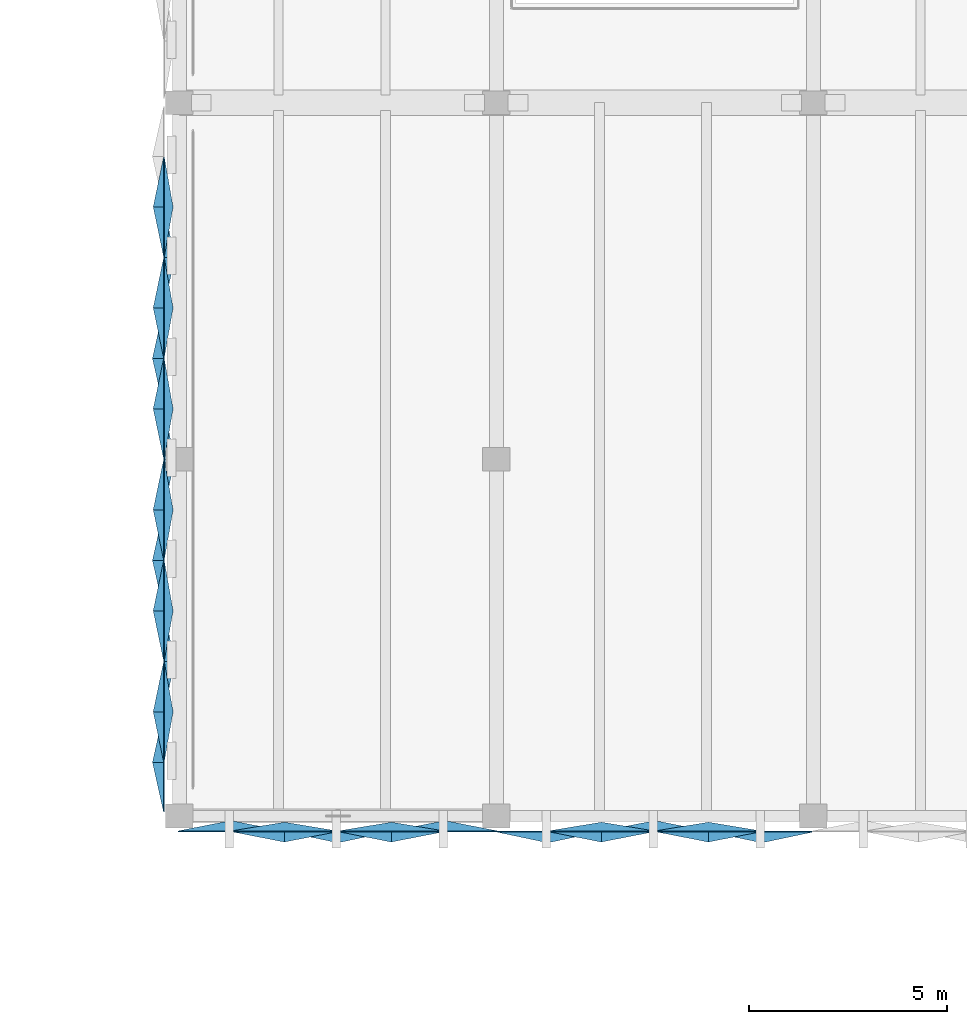
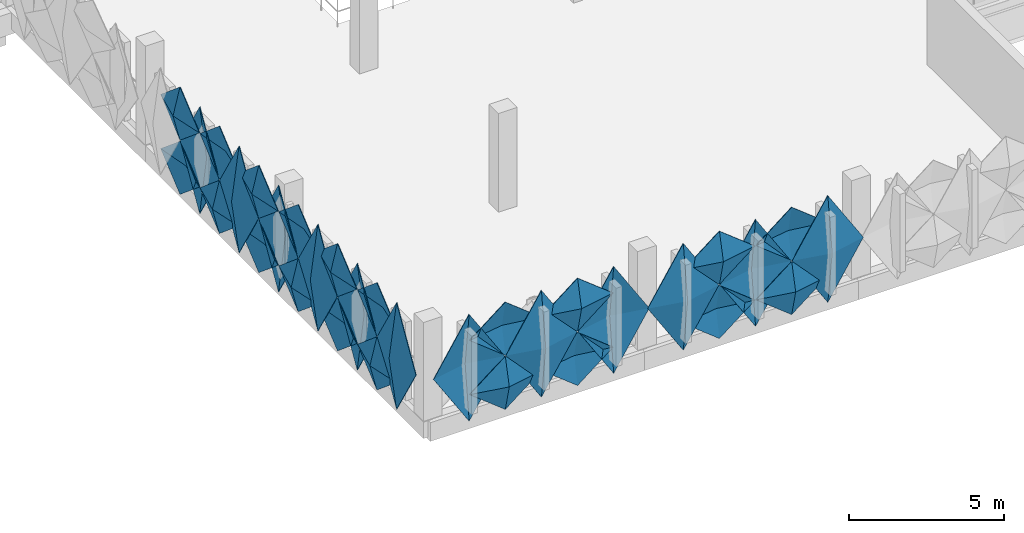
# One storey, part 36 of 52: 32 plates.
"""IFC4 building model written with IfcOpenShell, lengths in metres."""

from ifc_helpers import new_model, si_unit, derived_unit, direction, frame, origin, place, context, subcontext, project, spatial, polygons, material, layer, layer_set, type_object, element, save


model = new_model("IFC4")

# Units and contexts
model_context = context("Model", 3, precision=1e-05, world=origin(), true_north=direction((0.0, 1.0)))
body_context = subcontext(model_context, "Body", "Model", "MODEL_VIEW")
ifc_project = project(units=[si_unit("LENGTHUNIT", "METRE"), si_unit("AREAUNIT", "SQUARE_METRE"), si_unit("VOLUMEUNIT", "CUBIC_METRE"), si_unit("PLANEANGLEUNIT", "RADIAN"), si_unit("MASSUNIT", "GRAM", prefix="KILO"), si_unit("THERMODYNAMICTEMPERATUREUNIT", "KELVIN"), derived_unit("THERMALTRANSMITTANCEUNIT", [(si_unit("POWERUNIT", "WATT"), 1), (si_unit("AREAUNIT", "SQUARE_METRE"), -1), (si_unit("THERMODYNAMICTEMPERATUREUNIT", "KELVIN"), -1)])], contexts=[model_context])

# Site, building, storey
site_placement = place(None, origin())
site = spatial("IfcSite", under=ifc_project, at=site_placement, CompositionType="ELEMENT")
building_placement = place(site_placement, origin())
building = spatial("IfcBuilding", under=site, at=building_placement, Name="Haiyu Intermodal Mobility Hub", CompositionType="ELEMENT")
storey_placement = place(building_placement, frame((0.0, 0.0, 21.199951171875)))
storey = spatial("IfcBuildingStorey", under=building, at=storey_placement, Name="L05", CompositionType="ELEMENT", Elevation=21.199951171875)

# Plates
ifc_material = material(Name="Anodised aluminium 6063-T6", Category="aluminium")
ifc_layer_1 = layer(ifc_material, 0.02001953125)
ifc_layer_set_1 = layer_set([ifc_layer_1], Name="Anodised aluminium 6063-T6")
plate_type_1 = type_object("IfcPlateType", Name="PLT-FC02", PredefinedType="USERDEFINED", material=ifc_layer_set_1)
plate_1_placement = place(storey_placement, origin())
element("IfcPlate", 1, at=plate_1_placement, inside=storey, type_object=plate_type_1, Name="PLT-PYR-0606", ObjectType="FACADE CASSETTE", PredefinedType="USERDEFINED", context=body_context, shape_type="Tessellation", body=[
    polygons([(37.60009765625, 113.0, -0.510009765625), (37.60009765625, 111.74609375, 1.60009765625), (37.60009765625, 113.0, 3.7099609375), (37.60009765625, 114.25390625, 1.60009765625), (37.860107421875, 113.0, 1.60009765625), (37.6220703125, 113.0, -0.510009765625), (37.6220703125, 111.74609375, 1.60009765625), (37.6220703125, 113.0, 3.7099609375), (37.6220703125, 114.25390625, 1.60009765625), (37.882080078125, 113.0, 1.60009765625)], [[[1, 2, 5]], [[2, 3, 5]], [[3, 4, 5]], [[4, 1, 5]], [[7, 6, 10]], [[8, 7, 10]], [[9, 8, 10]], [[6, 9, 10]], [[1, 6, 7, 2]], [[2, 7, 8, 3]], [[3, 8, 9, 4]], [[4, 9, 6, 1]]], closed=True),
])
ifc_layer_2 = layer(ifc_material, 0.01806640625)
ifc_layer_set_2 = layer_set([ifc_layer_2], Name="Anodised aluminium 6063-T6")
plate_type_2 = type_object("IfcPlateType", Name="PLT-FC03", PredefinedType="USERDEFINED", material=ifc_layer_set_2)
plate_2_placement = place(storey_placement, origin())
element("IfcPlate", 2, at=plate_2_placement, inside=storey, type_object=plate_type_2, Name="PLT-PYR-0601", ObjectType="FACADE CASSETTE", PredefinedType="USERDEFINED", context=body_context, shape_type="Tessellation", body=[
    polygons([(37.60009765625, 116.822998046875, -0.52001953125), (37.60009765625, 115.569091796875, 0.530029296875), (37.60009765625, 116.822998046875, 1.580078125), (37.60009765625, 118.076904296875, 0.530029296875), (37.340087890625, 116.822998046875, 0.530029296875), (37.6220703125, 116.822998046875, -0.52001953125), (37.6220703125, 115.569091796875, 0.530029296875), (37.6220703125, 116.822998046875, 1.580078125), (37.6220703125, 118.076904296875, 0.530029296875), (37.362060546875, 116.822998046875, 0.530029296875)], [[[1, 2, 5]], [[2, 3, 5]], [[3, 4, 5]], [[4, 1, 5]], [[7, 6, 10]], [[8, 7, 10]], [[9, 8, 10]], [[6, 9, 10]], [[1, 6, 7, 2]], [[2, 7, 8, 3]], [[3, 8, 9, 4]], [[4, 9, 6, 1]]], closed=True),
])
plate_3_placement = place(storey_placement, origin())
element("IfcPlate", 3, at=plate_3_placement, inside=storey, type_object=plate_type_2, Name="PLT-PYR-0607", ObjectType="FACADE CASSETTE", PredefinedType="USERDEFINED", context=body_context, shape_type="Tessellation", body=[
    polygons([(37.60009765625, 111.72607421875, -0.52001953125), (37.60009765625, 110.470947265625, 0.530029296875), (37.60009765625, 111.72607421875, 1.580078125), (37.60009765625, 112.97998046875, 0.530029296875), (37.340087890625, 111.72607421875, 0.530029296875), (37.6220703125, 111.72607421875, -0.52001953125), (37.6220703125, 110.470947265625, 0.530029296875), (37.6220703125, 111.72607421875, 1.580078125), (37.6220703125, 112.97998046875, 0.530029296875), (37.362060546875, 111.72607421875, 0.530029296875)], [[[1, 2, 5]], [[2, 3, 5]], [[3, 4, 5]], [[4, 1, 5]], [[7, 6, 10]], [[8, 7, 10]], [[9, 8, 10]], [[6, 9, 10]], [[1, 6, 7, 2]], [[2, 7, 8, 3]], [[3, 8, 9, 4]], [[4, 9, 6, 1]]], closed=True),
])
plate_4_placement = place(storey_placement, origin())
element("IfcPlate", 4, at=plate_4_placement, inside=storey, type_object=plate_type_2, Name="PLT-PYR-0609", ObjectType="FACADE CASSETTE", PredefinedType="USERDEFINED", context=body_context, shape_type="Tessellation", body=[
    polygons([(37.60009765625, 110.450927734375, -0.510009765625), (37.60009765625, 109.197021484375, 1.60009765625), (37.60009765625, 110.450927734375, 3.7099609375), (37.60009765625, 111.7060546875, 1.60009765625), (37.320068359375, 110.450927734375, 1.60009765625), (37.6220703125, 110.450927734375, -0.510009765625), (37.6220703125, 109.197021484375, 1.60009765625), (37.6220703125, 110.450927734375, 3.7099609375), (37.6220703125, 111.7060546875, 1.60009765625), (37.342041015625, 110.450927734375, 1.60009765625)], [[[1, 2, 5]], [[2, 3, 5]], [[3, 4, 5]], [[4, 1, 5]], [[7, 6, 10]], [[8, 7, 10]], [[9, 8, 10]], [[6, 9, 10]], [[1, 6, 7, 2]], [[2, 7, 8, 3]], [[3, 8, 9, 4]], [[4, 9, 6, 1]]], closed=True),
])
plate_5_placement = place(storey_placement, origin())
element("IfcPlate", 5, at=plate_5_placement, inside=storey, type_object=plate_type_2, Name="PLT-PYR-0613", ObjectType="FACADE CASSETTE", PredefinedType="USERDEFINED", context=body_context, shape_type="Tessellation", body=[
    polygons([(37.60009765625, 106.62890625, -0.52001953125), (37.60009765625, 105.3740234375, 0.530029296875), (37.60009765625, 106.62890625, 1.580078125), (37.60009765625, 107.883056640625, 0.530029296875), (37.340087890625, 106.62890625, 0.530029296875), (37.6220703125, 106.62890625, -0.52001953125), (37.6220703125, 105.3740234375, 0.530029296875), (37.6220703125, 106.62890625, 1.580078125), (37.6220703125, 107.883056640625, 0.530029296875), (37.362060546875, 106.62890625, 0.530029296875)], [[[1, 2, 5]], [[2, 3, 5]], [[3, 4, 5]], [[4, 1, 5]], [[7, 6, 10]], [[8, 7, 10]], [[9, 8, 10]], [[6, 9, 10]], [[1, 6, 7, 2]], [[2, 7, 8, 3]], [[3, 8, 9, 4]], [[4, 9, 6, 1]]], closed=True),
])
plate_6_placement = place(storey_placement, origin())
element("IfcPlate", 6, at=plate_6_placement, inside=storey, type_object=plate_type_2, Name="PLT-PYR-2557", ObjectType="FACADE CASSETTE", PredefinedType="USERDEFINED", context=body_context, shape_type="Tessellation", body=[
    polygons([(40.64990234375, 103.60009765625, -0.52001953125), (41.97998046875, 103.60009765625, 0.530029296875), (40.64990234375, 103.60009765625, 1.580078125), (39.320068359375, 103.60009765625, 0.530029296875), (40.64990234375, 103.340087890625, 0.530029296875), (40.64990234375, 103.6220703125, -0.52001953125), (41.97998046875, 103.6220703125, 0.530029296875), (40.64990234375, 103.6220703125, 1.580078125), (39.320068359375, 103.6220703125, 0.530029296875), (40.64990234375, 103.362060546875, 0.530029296875)], [[[1, 2, 5]], [[2, 3, 5]], [[3, 4, 5]], [[4, 1, 5]], [[7, 6, 10]], [[8, 7, 10]], [[9, 8, 10]], [[6, 9, 10]], [[1, 6, 7, 2]], [[2, 7, 8, 3]], [[3, 8, 9, 4]], [[4, 9, 6, 1]]], closed=True),
])
plate_7_placement = place(storey_placement, origin())
element("IfcPlate", 7, at=plate_7_placement, inside=storey, type_object=plate_type_2, Name="PLT-PYR-2563", ObjectType="FACADE CASSETTE", PredefinedType="USERDEFINED", context=body_context, shape_type="Tessellation", body=[
    polygons([(47.300048828125, 103.60009765625, -0.510009765625), (48.6298828125, 103.60009765625, 1.60009765625), (47.300048828125, 103.60009765625, 3.7099609375), (45.969970703125, 103.60009765625, 1.60009765625), (47.300048828125, 103.320068359375, 1.60009765625), (47.300048828125, 103.6220703125, -0.510009765625), (48.6298828125, 103.6220703125, 1.60009765625), (47.300048828125, 103.6220703125, 3.7099609375), (45.969970703125, 103.6220703125, 1.60009765625), (47.300048828125, 103.342041015625, 1.60009765625)], [[[1, 2, 5]], [[2, 3, 5]], [[3, 4, 5]], [[4, 1, 5]], [[7, 6, 10]], [[8, 7, 10]], [[9, 8, 10]], [[6, 9, 10]], [[1, 6, 7, 2]], [[2, 7, 8, 3]], [[3, 8, 9, 4]], [[4, 9, 6, 1]]], closed=True),
])
plate_8_placement = place(storey_placement, origin())
element("IfcPlate", 8, at=plate_8_placement, inside=storey, type_object=plate_type_2, Name="PLT-PYR-2567", ObjectType="FACADE CASSETTE", PredefinedType="USERDEFINED", context=body_context, shape_type="Tessellation", body=[
    polygons([(51.35009765625, 103.60009765625, -0.52001953125), (52.679931640625, 103.60009765625, 0.530029296875), (51.35009765625, 103.60009765625, 1.580078125), (50.02001953125, 103.60009765625, 0.530029296875), (51.35009765625, 103.340087890625, 0.530029296875), (51.35009765625, 103.6220703125, -0.52001953125), (52.679931640625, 103.6220703125, 0.530029296875), (51.35009765625, 103.6220703125, 1.580078125), (50.02001953125, 103.6220703125, 0.530029296875), (51.35009765625, 103.362060546875, 0.530029296875)], [[[1, 2, 5]], [[2, 3, 5]], [[3, 4, 5]], [[4, 1, 5]], [[7, 6, 10]], [[8, 7, 10]], [[9, 8, 10]], [[6, 9, 10]], [[1, 6, 7, 2]], [[2, 7, 8, 3]], [[3, 8, 9, 4]], [[4, 9, 6, 1]]], closed=True),
])
ifc_layer_3 = layer(ifc_material, 0.02001953125)
ifc_layer_set_3 = layer_set([ifc_layer_3], Name="Anodised aluminium 6063-T6")
plate_type_3 = type_object("IfcPlateType", Name="PLT-FC04", PredefinedType="USERDEFINED", material=ifc_layer_set_3)
plate_9_placement = place(storey_placement, origin())
element("IfcPlate", 9, at=plate_9_placement, inside=storey, type_object=plate_type_3, Name="PLT-PYR-0598", ObjectType="FACADE CASSETTE", PredefinedType="USERDEFINED", context=body_context, shape_type="Tessellation", body=[
    polygons([(37.60009765625, 119.37109375, -0.52001953125), (37.60009765625, 118.116943359375, 0.530029296875), (37.60009765625, 119.37109375, 1.580078125), (37.60009765625, 120.6259765625, 0.530029296875), (37.820068359375, 119.37109375, 0.530029296875), (37.6220703125, 119.37109375, -0.52001953125), (37.6220703125, 118.116943359375, 0.530029296875), (37.6220703125, 119.37109375, 1.580078125), (37.6220703125, 120.6259765625, 0.530029296875), (37.842041015625, 119.37109375, 0.530029296875)], [[[1, 2, 5]], [[2, 3, 5]], [[3, 4, 5]], [[4, 1, 5]], [[7, 6, 10]], [[8, 7, 10]], [[9, 8, 10]], [[6, 9, 10]], [[1, 6, 7, 2]], [[2, 7, 8, 3]], [[3, 8, 9, 4]], [[4, 9, 6, 1]]], closed=True),
])
plate_10_placement = place(storey_placement, origin())
element("IfcPlate", 10, at=plate_10_placement, inside=storey, type_object=plate_type_3, Name="PLT-PYR-0604", ObjectType="FACADE CASSETTE", PredefinedType="USERDEFINED", context=body_context, shape_type="Tessellation", body=[
    polygons([(37.60009765625, 114.27392578125, -0.52001953125), (37.60009765625, 113.02001953125, 0.530029296875), (37.60009765625, 114.27392578125, 1.580078125), (37.60009765625, 115.529052734375, 0.530029296875), (37.820068359375, 114.27392578125, 0.530029296875), (37.6220703125, 114.27392578125, -0.52001953125), (37.6220703125, 113.02001953125, 0.530029296875), (37.6220703125, 114.27392578125, 1.580078125), (37.6220703125, 115.529052734375, 0.530029296875), (37.842041015625, 114.27392578125, 0.530029296875)], [[[1, 2, 5]], [[2, 3, 5]], [[3, 4, 5]], [[4, 1, 5]], [[7, 6, 10]], [[8, 7, 10]], [[9, 8, 10]], [[6, 9, 10]], [[1, 6, 7, 2]], [[2, 7, 8, 3]], [[3, 8, 9, 4]], [[4, 9, 6, 1]]], closed=True),
])
plate_11_placement = place(storey_placement, origin())
element("IfcPlate", 11, at=plate_11_placement, inside=storey, type_object=plate_type_3, Name="PLT-PYR-0610", ObjectType="FACADE CASSETTE", PredefinedType="USERDEFINED", context=body_context, shape_type="Tessellation", body=[
    polygons([(37.60009765625, 109.177001953125, -0.52001953125), (37.60009765625, 107.923095703125, 0.530029296875), (37.60009765625, 109.177001953125, 1.580078125), (37.60009765625, 110.430908203125, 0.530029296875), (37.820068359375, 109.177001953125, 0.530029296875), (37.6220703125, 109.177001953125, -0.52001953125), (37.6220703125, 107.923095703125, 0.530029296875), (37.6220703125, 109.177001953125, 1.580078125), (37.6220703125, 110.430908203125, 0.530029296875), (37.842041015625, 109.177001953125, 0.530029296875)], [[[1, 2, 5]], [[2, 3, 5]], [[3, 4, 5]], [[4, 1, 5]], [[7, 6, 10]], [[8, 7, 10]], [[9, 8, 10]], [[6, 9, 10]], [[1, 6, 7, 2]], [[2, 7, 8, 3]], [[3, 8, 9, 4]], [[4, 9, 6, 1]]], closed=True),
])
plate_12_placement = place(storey_placement, origin())
element("IfcPlate", 12, at=plate_12_placement, inside=storey, type_object=plate_type_3, Name="PLT-PYR-2556", ObjectType="FACADE CASSETTE", PredefinedType="USERDEFINED", context=body_context, shape_type="Tessellation", body=[
    polygons([(39.300048828125, 103.60009765625, -0.510009765625), (40.6298828125, 103.60009765625, 1.60009765625), (39.300048828125, 103.60009765625, 3.7099609375), (37.969970703125, 103.60009765625, 1.60009765625), (39.300048828125, 103.860107421875, 1.60009765625), (39.300048828125, 103.6220703125, -0.510009765625), (40.6298828125, 103.6220703125, 1.60009765625), (39.300048828125, 103.6220703125, 3.7099609375), (37.969970703125, 103.6220703125, 1.60009765625), (39.300048828125, 103.882080078125, 1.60009765625)], [[[1, 2, 5]], [[2, 3, 5]], [[3, 4, 5]], [[4, 1, 5]], [[7, 6, 10]], [[8, 7, 10]], [[9, 8, 10]], [[6, 9, 10]], [[1, 6, 7, 2]], [[2, 7, 8, 3]], [[3, 8, 9, 4]], [[4, 9, 6, 1]]], closed=True),
])
plate_13_placement = place(storey_placement, origin())
element("IfcPlate", 13, at=plate_13_placement, inside=storey, type_object=plate_type_3, Name="PLT-PYR-2560", ObjectType="FACADE CASSETTE", PredefinedType="USERDEFINED", context=body_context, shape_type="Tessellation", body=[
    polygons([(43.35009765625, 103.60009765625, -0.52001953125), (44.679931640625, 103.60009765625, 0.530029296875), (43.35009765625, 103.60009765625, 1.580078125), (42.02001953125, 103.60009765625, 0.530029296875), (43.35009765625, 103.820068359375, 0.530029296875), (43.35009765625, 103.6220703125, -0.52001953125), (44.679931640625, 103.6220703125, 0.530029296875), (43.35009765625, 103.6220703125, 1.580078125), (42.02001953125, 103.6220703125, 0.530029296875), (43.35009765625, 103.842041015625, 0.530029296875)], [[[1, 2, 5]], [[2, 3, 5]], [[3, 4, 5]], [[4, 1, 5]], [[7, 6, 10]], [[8, 7, 10]], [[9, 8, 10]], [[6, 9, 10]], [[1, 6, 7, 2]], [[2, 7, 8, 3]], [[3, 8, 9, 4]], [[4, 9, 6, 1]]], closed=True),
])
plate_14_placement = place(storey_placement, origin())
element("IfcPlate", 14, at=plate_14_placement, inside=storey, type_object=plate_type_3, Name="PLT-PYR-2564", ObjectType="FACADE CASSETTE", PredefinedType="USERDEFINED", context=body_context, shape_type="Tessellation", body=[
    polygons([(48.64990234375, 103.60009765625, -0.52001953125), (49.97998046875, 103.60009765625, 0.530029296875), (48.64990234375, 103.60009765625, 1.580078125), (47.320068359375, 103.60009765625, 0.530029296875), (48.64990234375, 103.820068359375, 0.530029296875), (48.64990234375, 103.6220703125, -0.52001953125), (49.97998046875, 103.6220703125, 0.530029296875), (48.64990234375, 103.6220703125, 1.580078125), (47.320068359375, 103.6220703125, 0.530029296875), (48.64990234375, 103.842041015625, 0.530029296875)], [[[1, 2, 5]], [[2, 3, 5]], [[3, 4, 5]], [[4, 1, 5]], [[7, 6, 10]], [[8, 7, 10]], [[9, 8, 10]], [[6, 9, 10]], [[1, 6, 7, 2]], [[2, 7, 8, 3]], [[3, 8, 9, 4]], [[4, 9, 6, 1]]], closed=True),
])
ifc_layer_4 = layer(ifc_material, 0.01806640625)
ifc_layer_set_4 = layer_set([ifc_layer_4], Name="Anodised aluminium 6063-T6")
plate_type_4 = type_object("IfcPlateType", Name="PLT-FC05", PredefinedType="USERDEFINED", material=ifc_layer_set_4)
plate_15_placement = place(storey_placement, origin())
element("IfcPlate", 15, at=plate_15_placement, inside=storey, type_object=plate_type_4, Name="PLT-PYR-0599", ObjectType="FACADE CASSETTE", PredefinedType="USERDEFINED", context=body_context, shape_type="Tessellation", body=[
    polygons([(37.60009765625, 119.37109375, 1.6201171875), (37.60009765625, 118.116943359375, 2.670166015625), (37.60009765625, 119.37109375, 3.719970703125), (37.60009765625, 120.6259765625, 2.670166015625), (37.340087890625, 119.37109375, 2.670166015625), (37.6220703125, 119.37109375, 1.6201171875), (37.6220703125, 118.116943359375, 2.670166015625), (37.6220703125, 119.37109375, 3.719970703125), (37.6220703125, 120.6259765625, 2.670166015625), (37.362060546875, 119.37109375, 2.670166015625)], [[[1, 2, 5]], [[2, 3, 5]], [[3, 4, 5]], [[4, 1, 5]], [[7, 6, 10]], [[8, 7, 10]], [[9, 8, 10]], [[6, 9, 10]], [[1, 6, 7, 2]], [[2, 7, 8, 3]], [[3, 8, 9, 4]], [[4, 9, 6, 1]]], closed=True),
])
plate_16_placement = place(storey_placement, origin())
element("IfcPlate", 16, at=plate_16_placement, inside=storey, type_object=plate_type_4, Name="PLT-PYR-0605", ObjectType="FACADE CASSETTE", PredefinedType="USERDEFINED", context=body_context, shape_type="Tessellation", body=[
    polygons([(37.60009765625, 114.27392578125, 1.6201171875), (37.60009765625, 113.02001953125, 2.670166015625), (37.60009765625, 114.27392578125, 3.719970703125), (37.60009765625, 115.529052734375, 2.670166015625), (37.340087890625, 114.27392578125, 2.670166015625), (37.6220703125, 114.27392578125, 1.6201171875), (37.6220703125, 113.02001953125, 2.670166015625), (37.6220703125, 114.27392578125, 3.719970703125), (37.6220703125, 115.529052734375, 2.670166015625), (37.362060546875, 114.27392578125, 2.670166015625)], [[[1, 2, 5]], [[2, 3, 5]], [[3, 4, 5]], [[4, 1, 5]], [[7, 6, 10]], [[8, 7, 10]], [[9, 8, 10]], [[6, 9, 10]], [[1, 6, 7, 2]], [[2, 7, 8, 3]], [[3, 8, 9, 4]], [[4, 9, 6, 1]]], closed=True),
])
plate_17_placement = place(storey_placement, origin())
element("IfcPlate", 17, at=plate_17_placement, inside=storey, type_object=plate_type_4, Name="PLT-PYR-0611", ObjectType="FACADE CASSETTE", PredefinedType="USERDEFINED", context=body_context, shape_type="Tessellation", body=[
    polygons([(37.60009765625, 109.177001953125, 1.6201171875), (37.60009765625, 107.923095703125, 2.670166015625), (37.60009765625, 109.177001953125, 3.719970703125), (37.60009765625, 110.430908203125, 2.670166015625), (37.340087890625, 109.177001953125, 2.670166015625), (37.6220703125, 109.177001953125, 1.6201171875), (37.6220703125, 107.923095703125, 2.670166015625), (37.6220703125, 109.177001953125, 3.719970703125), (37.6220703125, 110.430908203125, 2.670166015625), (37.362060546875, 109.177001953125, 2.670166015625)], [[[1, 2, 5]], [[2, 3, 5]], [[3, 4, 5]], [[4, 1, 5]], [[7, 6, 10]], [[8, 7, 10]], [[9, 8, 10]], [[6, 9, 10]], [[1, 6, 7, 2]], [[2, 7, 8, 3]], [[3, 8, 9, 4]], [[4, 9, 6, 1]]], closed=True),
])
plate_18_placement = place(storey_placement, origin())
element("IfcPlate", 18, at=plate_18_placement, inside=storey, type_object=plate_type_4, Name="PLT-PYR-2559", ObjectType="FACADE CASSETTE", PredefinedType="USERDEFINED", context=body_context, shape_type="Tessellation", body=[
    polygons([(42.0, 103.60009765625, -0.510009765625), (43.330078125, 103.60009765625, 1.60009765625), (42.0, 103.60009765625, 3.7099609375), (40.669921875, 103.60009765625, 1.60009765625), (42.0, 103.320068359375, 1.60009765625), (42.0, 103.6220703125, -0.510009765625), (43.330078125, 103.6220703125, 1.60009765625), (42.0, 103.6220703125, 3.7099609375), (40.669921875, 103.6220703125, 1.60009765625), (42.0, 103.342041015625, 1.60009765625)], [[[1, 2, 5]], [[2, 3, 5]], [[3, 4, 5]], [[4, 1, 5]], [[7, 6, 10]], [[8, 7, 10]], [[9, 8, 10]], [[6, 9, 10]], [[1, 6, 7, 2]], [[2, 7, 8, 3]], [[3, 8, 9, 4]], [[4, 9, 6, 1]]], closed=True),
])
plate_19_placement = place(storey_placement, origin())
element("IfcPlate", 19, at=plate_19_placement, inside=storey, type_object=plate_type_4, Name="PLT-PYR-2561", ObjectType="FACADE CASSETTE", PredefinedType="USERDEFINED", context=body_context, shape_type="Tessellation", body=[
    polygons([(43.35009765625, 103.60009765625, 1.6201171875), (44.679931640625, 103.60009765625, 2.670166015625), (43.35009765625, 103.60009765625, 3.719970703125), (42.02001953125, 103.60009765625, 2.670166015625), (43.35009765625, 103.340087890625, 2.670166015625), (43.35009765625, 103.6220703125, 1.6201171875), (44.679931640625, 103.6220703125, 2.670166015625), (43.35009765625, 103.6220703125, 3.719970703125), (42.02001953125, 103.6220703125, 2.670166015625), (43.35009765625, 103.362060546875, 2.670166015625)], [[[1, 2, 5]], [[2, 3, 5]], [[3, 4, 5]], [[4, 1, 5]], [[7, 6, 10]], [[8, 7, 10]], [[9, 8, 10]], [[6, 9, 10]], [[1, 6, 7, 2]], [[2, 7, 8, 3]], [[3, 8, 9, 4]], [[4, 9, 6, 1]]], closed=True),
])
plate_20_placement = place(storey_placement, origin())
element("IfcPlate", 20, at=plate_20_placement, inside=storey, type_object=plate_type_4, Name="PLT-PYR-2565", ObjectType="FACADE CASSETTE", PredefinedType="USERDEFINED", context=body_context, shape_type="Tessellation", body=[
    polygons([(48.64990234375, 103.60009765625, 1.6201171875), (49.97998046875, 103.60009765625, 2.670166015625), (48.64990234375, 103.60009765625, 3.719970703125), (47.320068359375, 103.60009765625, 2.670166015625), (48.64990234375, 103.340087890625, 2.670166015625), (48.64990234375, 103.6220703125, 1.6201171875), (49.97998046875, 103.6220703125, 2.670166015625), (48.64990234375, 103.6220703125, 3.719970703125), (47.320068359375, 103.6220703125, 2.670166015625), (48.64990234375, 103.362060546875, 2.670166015625)], [[[1, 2, 5]], [[2, 3, 5]], [[3, 4, 5]], [[4, 1, 5]], [[7, 6, 10]], [[8, 7, 10]], [[9, 8, 10]], [[6, 9, 10]], [[1, 6, 7, 2]], [[2, 7, 8, 3]], [[3, 8, 9, 4]], [[4, 9, 6, 1]]], closed=True),
])
ifc_layer_5 = layer(ifc_material, 0.02001953125)
ifc_layer_set_5 = layer_set([ifc_layer_5], Name="Anodised aluminium 6063-T6")
plate_type_5 = type_object("IfcPlateType", Name="PLT-FC06", PredefinedType="USERDEFINED", material=ifc_layer_set_5)
plate_21_placement = place(storey_placement, origin())
element("IfcPlate", 21, at=plate_21_placement, inside=storey, type_object=plate_type_5, Name="PLT-PYR-0600", ObjectType="FACADE CASSETTE", PredefinedType="USERDEFINED", context=body_context, shape_type="Tessellation", body=[
    polygons([(37.60009765625, 118.096923828125, -0.510009765625), (37.60009765625, 116.843017578125, 1.60009765625), (37.60009765625, 118.096923828125, 3.7099609375), (37.60009765625, 119.35107421875, 1.60009765625), (37.860107421875, 118.096923828125, 1.60009765625), (37.6220703125, 118.096923828125, -0.510009765625), (37.6220703125, 116.843017578125, 1.60009765625), (37.6220703125, 118.096923828125, 3.7099609375), (37.6220703125, 119.35107421875, 1.60009765625), (37.882080078125, 118.096923828125, 1.60009765625)], [[[1, 2, 5]], [[2, 3, 5]], [[3, 4, 5]], [[4, 1, 5]], [[7, 6, 10]], [[8, 7, 10]], [[9, 8, 10]], [[6, 9, 10]], [[1, 6, 7, 2]], [[2, 7, 8, 3]], [[3, 8, 9, 4]], [[4, 9, 6, 1]]], closed=True),
])
plate_22_placement = place(storey_placement, origin())
element("IfcPlate", 22, at=plate_22_placement, inside=storey, type_object=plate_type_5, Name="PLT-PYR-0602", ObjectType="FACADE CASSETTE", PredefinedType="USERDEFINED", context=body_context, shape_type="Tessellation", body=[
    polygons([(37.60009765625, 116.822998046875, 1.6201171875), (37.60009765625, 115.569091796875, 2.670166015625), (37.60009765625, 116.822998046875, 3.719970703125), (37.60009765625, 118.076904296875, 2.670166015625), (37.820068359375, 116.822998046875, 2.670166015625), (37.6220703125, 116.822998046875, 1.6201171875), (37.6220703125, 115.569091796875, 2.670166015625), (37.6220703125, 116.822998046875, 3.719970703125), (37.6220703125, 118.076904296875, 2.670166015625), (37.842041015625, 116.822998046875, 2.670166015625)], [[[1, 2, 5]], [[2, 3, 5]], [[3, 4, 5]], [[4, 1, 5]], [[7, 6, 10]], [[8, 7, 10]], [[9, 8, 10]], [[6, 9, 10]], [[1, 6, 7, 2]], [[2, 7, 8, 3]], [[3, 8, 9, 4]], [[4, 9, 6, 1]]], closed=True),
])
plate_23_placement = place(storey_placement, origin())
element("IfcPlate", 23, at=plate_23_placement, inside=storey, type_object=plate_type_5, Name="PLT-PYR-0608", ObjectType="FACADE CASSETTE", PredefinedType="USERDEFINED", context=body_context, shape_type="Tessellation", body=[
    polygons([(37.60009765625, 111.72607421875, 1.6201171875), (37.60009765625, 110.470947265625, 2.670166015625), (37.60009765625, 111.72607421875, 3.719970703125), (37.60009765625, 112.97998046875, 2.670166015625), (37.820068359375, 111.72607421875, 2.670166015625), (37.6220703125, 111.72607421875, 1.6201171875), (37.6220703125, 110.470947265625, 2.670166015625), (37.6220703125, 111.72607421875, 3.719970703125), (37.6220703125, 112.97998046875, 2.670166015625), (37.842041015625, 111.72607421875, 2.670166015625)], [[[1, 2, 5]], [[2, 3, 5]], [[3, 4, 5]], [[4, 1, 5]], [[7, 6, 10]], [[8, 7, 10]], [[9, 8, 10]], [[6, 9, 10]], [[1, 6, 7, 2]], [[2, 7, 8, 3]], [[3, 8, 9, 4]], [[4, 9, 6, 1]]], closed=True),
])
plate_24_placement = place(storey_placement, origin())
element("IfcPlate", 24, at=plate_24_placement, inside=storey, type_object=plate_type_5, Name="PLT-PYR-0612", ObjectType="FACADE CASSETTE", PredefinedType="USERDEFINED", context=body_context, shape_type="Tessellation", body=[
    polygons([(37.60009765625, 107.903076171875, -0.510009765625), (37.60009765625, 106.64892578125, 1.60009765625), (37.60009765625, 107.903076171875, 3.7099609375), (37.60009765625, 109.156982421875, 1.60009765625), (37.860107421875, 107.903076171875, 1.60009765625), (37.6220703125, 107.903076171875, -0.510009765625), (37.6220703125, 106.64892578125, 1.60009765625), (37.6220703125, 107.903076171875, 3.7099609375), (37.6220703125, 109.156982421875, 1.60009765625), (37.882080078125, 107.903076171875, 1.60009765625)], [[[1, 2, 5]], [[2, 3, 5]], [[3, 4, 5]], [[4, 1, 5]], [[7, 6, 10]], [[8, 7, 10]], [[9, 8, 10]], [[6, 9, 10]], [[1, 6, 7, 2]], [[2, 7, 8, 3]], [[3, 8, 9, 4]], [[4, 9, 6, 1]]], closed=True),
])
plate_25_placement = place(storey_placement, origin())
element("IfcPlate", 25, at=plate_25_placement, inside=storey, type_object=plate_type_5, Name="PLT-PYR-0614", ObjectType="FACADE CASSETTE", PredefinedType="USERDEFINED", context=body_context, shape_type="Tessellation", body=[
    polygons([(37.60009765625, 106.62890625, 1.6201171875), (37.60009765625, 105.3740234375, 2.670166015625), (37.60009765625, 106.62890625, 3.719970703125), (37.60009765625, 107.883056640625, 2.670166015625), (37.820068359375, 106.62890625, 2.670166015625), (37.6220703125, 106.62890625, 1.6201171875), (37.6220703125, 105.3740234375, 2.670166015625), (37.6220703125, 106.62890625, 3.719970703125), (37.6220703125, 107.883056640625, 2.670166015625), (37.842041015625, 106.62890625, 2.670166015625)], [[[1, 2, 5]], [[2, 3, 5]], [[3, 4, 5]], [[4, 1, 5]], [[7, 6, 10]], [[8, 7, 10]], [[9, 8, 10]], [[6, 9, 10]], [[1, 6, 7, 2]], [[2, 7, 8, 3]], [[3, 8, 9, 4]], [[4, 9, 6, 1]]], closed=True),
])
plate_26_placement = place(storey_placement, origin())
element("IfcPlate", 26, at=plate_26_placement, inside=storey, type_object=plate_type_5, Name="PLT-PYR-2558", ObjectType="FACADE CASSETTE", PredefinedType="USERDEFINED", context=body_context, shape_type="Tessellation", body=[
    polygons([(40.64990234375, 103.60009765625, 1.6201171875), (41.97998046875, 103.60009765625, 2.670166015625), (40.64990234375, 103.60009765625, 3.719970703125), (39.320068359375, 103.60009765625, 2.670166015625), (40.64990234375, 103.820068359375, 2.670166015625), (40.64990234375, 103.6220703125, 1.6201171875), (41.97998046875, 103.6220703125, 2.670166015625), (40.64990234375, 103.6220703125, 3.719970703125), (39.320068359375, 103.6220703125, 2.670166015625), (40.64990234375, 103.842041015625, 2.670166015625)], [[[1, 2, 5]], [[2, 3, 5]], [[3, 4, 5]], [[4, 1, 5]], [[7, 6, 10]], [[8, 7, 10]], [[9, 8, 10]], [[6, 9, 10]], [[1, 6, 7, 2]], [[2, 7, 8, 3]], [[3, 8, 9, 4]], [[4, 9, 6, 1]]], closed=True),
])
plate_27_placement = place(storey_placement, origin())
element("IfcPlate", 27, at=plate_27_placement, inside=storey, type_object=plate_type_5, Name="PLT-PYR-2566", ObjectType="FACADE CASSETTE", PredefinedType="USERDEFINED", context=body_context, shape_type="Tessellation", body=[
    polygons([(50.0, 103.60009765625, -0.510009765625), (51.330078125, 103.60009765625, 1.60009765625), (50.0, 103.60009765625, 3.7099609375), (48.669921875, 103.60009765625, 1.60009765625), (50.0, 103.860107421875, 1.60009765625), (50.0, 103.6220703125, -0.510009765625), (51.330078125, 103.6220703125, 1.60009765625), (50.0, 103.6220703125, 3.7099609375), (48.669921875, 103.6220703125, 1.60009765625), (50.0, 103.882080078125, 1.60009765625)], [[[1, 2, 5]], [[2, 3, 5]], [[3, 4, 5]], [[4, 1, 5]], [[7, 6, 10]], [[8, 7, 10]], [[9, 8, 10]], [[6, 9, 10]], [[1, 6, 7, 2]], [[2, 7, 8, 3]], [[3, 8, 9, 4]], [[4, 9, 6, 1]]], closed=True),
])
plate_28_placement = place(storey_placement, origin())
element("IfcPlate", 28, at=plate_28_placement, inside=storey, type_object=plate_type_5, Name="PLT-PYR-2568", ObjectType="FACADE CASSETTE", PredefinedType="USERDEFINED", context=body_context, shape_type="Tessellation", body=[
    polygons([(51.35009765625, 103.60009765625, 1.6201171875), (52.679931640625, 103.60009765625, 2.670166015625), (51.35009765625, 103.60009765625, 3.719970703125), (50.02001953125, 103.60009765625, 2.670166015625), (51.35009765625, 103.820068359375, 2.670166015625), (51.35009765625, 103.6220703125, 1.6201171875), (52.679931640625, 103.6220703125, 2.670166015625), (51.35009765625, 103.6220703125, 3.719970703125), (50.02001953125, 103.6220703125, 2.670166015625), (51.35009765625, 103.842041015625, 2.670166015625)], [[[1, 2, 5]], [[2, 3, 5]], [[3, 4, 5]], [[4, 1, 5]], [[7, 6, 10]], [[8, 7, 10]], [[9, 8, 10]], [[6, 9, 10]], [[1, 6, 7, 2]], [[2, 7, 8, 3]], [[3, 8, 9, 4]], [[4, 9, 6, 1]]], closed=True),
])
ifc_layer_6 = layer(ifc_material, 0.02197265625)
ifc_layer_set_6 = layer_set([ifc_layer_6], Name="Anodised aluminium 6063-T6")
plate_type_6 = type_object("IfcPlateType", Name="PLT-FC07", PredefinedType="USERDEFINED", material=ifc_layer_set_6)
plate_29_placement = place(storey_placement, origin())
element("IfcPlate", 29, at=plate_29_placement, inside=storey, type_object=plate_type_6, Name="PLT-PYR-0603", ObjectType="FACADE CASSETTE", PredefinedType="USERDEFINED", context=body_context, shape_type="Tessellation", body=[
    polygons([(37.60009765625, 115.549072265625, -0.510009765625), (37.60009765625, 114.2939453125, 1.60009765625), (37.60009765625, 115.549072265625, 3.7099609375), (37.60009765625, 116.802978515625, 1.60009765625), (37.320068359375, 115.549072265625, 1.60009765625), (37.6220703125, 115.549072265625, -0.510009765625), (37.6220703125, 114.2939453125, 1.60009765625), (37.6220703125, 115.549072265625, 3.7099609375), (37.6220703125, 116.802978515625, 1.60009765625), (37.342041015625, 115.549072265625, 1.60009765625)], [[[1, 2, 5]], [[2, 3, 5]], [[3, 4, 5]], [[4, 1, 5]], [[7, 6, 10]], [[8, 7, 10]], [[9, 8, 10]], [[6, 9, 10]], [[1, 6, 7, 2]], [[2, 7, 8, 3]], [[3, 8, 9, 4]], [[4, 9, 6, 1]]], closed=True),
])
plate_30_placement = place(storey_placement, origin())
element("IfcPlate", 30, at=plate_30_placement, inside=storey, type_object=plate_type_6, Name="PLT-PYR-0615", ObjectType="FACADE CASSETTE", PredefinedType="USERDEFINED", context=body_context, shape_type="Tessellation", body=[
    polygons([(37.60009765625, 105.35400390625, -0.510009765625), (37.60009765625, 104.10009765625, 1.60009765625), (37.60009765625, 105.35400390625, 3.7099609375), (37.60009765625, 106.60888671875, 1.60009765625), (37.320068359375, 105.35400390625, 1.60009765625), (37.6220703125, 105.35400390625, -0.510009765625), (37.6220703125, 104.10009765625, 1.60009765625), (37.6220703125, 105.35400390625, 3.7099609375), (37.6220703125, 106.60888671875, 1.60009765625), (37.342041015625, 105.35400390625, 1.60009765625)], [[[1, 2, 5]], [[2, 3, 5]], [[3, 4, 5]], [[4, 1, 5]], [[7, 6, 10]], [[8, 7, 10]], [[9, 8, 10]], [[6, 9, 10]], [[1, 6, 7, 2]], [[2, 7, 8, 3]], [[3, 8, 9, 4]], [[4, 9, 6, 1]]], closed=True),
])
plate_31_placement = place(storey_placement, origin())
element("IfcPlate", 31, at=plate_31_placement, inside=storey, type_object=plate_type_6, Name="PLT-PYR-2569", ObjectType="FACADE CASSETTE", PredefinedType="USERDEFINED", context=body_context, shape_type="Tessellation", body=[
    polygons([(52.699951171875, 103.60009765625, -0.510009765625), (54.030029296875, 103.60009765625, 1.60009765625), (52.699951171875, 103.60009765625, 3.7099609375), (51.3701171875, 103.60009765625, 1.60009765625), (52.699951171875, 103.320068359375, 1.60009765625), (52.699951171875, 103.6220703125, -0.510009765625), (54.030029296875, 103.6220703125, 1.60009765625), (52.699951171875, 103.6220703125, 3.7099609375), (51.3701171875, 103.6220703125, 1.60009765625), (52.699951171875, 103.342041015625, 1.60009765625)], [[[1, 2, 5]], [[2, 3, 5]], [[3, 4, 5]], [[4, 1, 5]], [[7, 6, 10]], [[8, 7, 10]], [[9, 8, 10]], [[6, 9, 10]], [[1, 6, 7, 2]], [[2, 7, 8, 3]], [[3, 8, 9, 4]], [[4, 9, 6, 1]]], closed=True),
])
ifc_layer_7 = layer(ifc_material, 0.02392578125)
ifc_layer_set_7 = layer_set([ifc_layer_7], Name="Anodised aluminium 6063-T6")
plate_type_7 = type_object("IfcPlateType", Name="PLT-FC08", PredefinedType="USERDEFINED", material=ifc_layer_set_7)
plate_32_placement = place(storey_placement, origin())
element("IfcPlate", 32, at=plate_32_placement, inside=storey, type_object=plate_type_7, Name="PLT-PYR-2562", ObjectType="FACADE CASSETTE", PredefinedType="USERDEFINED", context=body_context, shape_type="Tessellation", body=[
    polygons([(44.699951171875, 103.60009765625, -0.510009765625), (46.030029296875, 103.60009765625, 1.60009765625), (44.699951171875, 103.60009765625, 3.7099609375), (43.3701171875, 103.60009765625, 1.60009765625), (44.699951171875, 103.860107421875, 1.60009765625), (44.699951171875, 103.6220703125, -0.510009765625), (46.030029296875, 103.6220703125, 1.60009765625), (44.699951171875, 103.6220703125, 3.7099609375), (43.3701171875, 103.6220703125, 1.60009765625), (44.699951171875, 103.882080078125, 1.60009765625)], [[[1, 2, 5]], [[2, 3, 5]], [[3, 4, 5]], [[4, 1, 5]], [[7, 6, 10]], [[8, 7, 10]], [[9, 8, 10]], [[6, 9, 10]], [[1, 6, 7, 2]], [[2, 7, 8, 3]], [[3, 8, 9, 4]], [[4, 9, 6, 1]]], closed=True),
])

save(model, "model.ifc")
